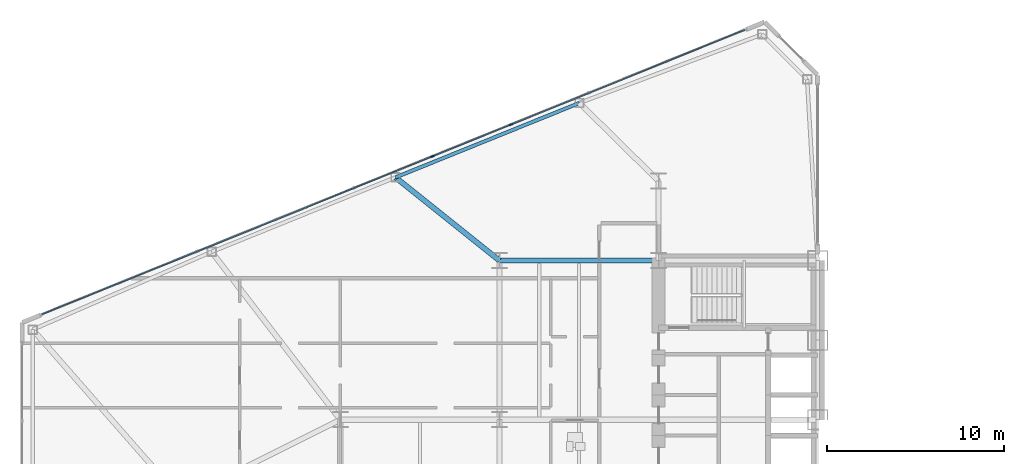
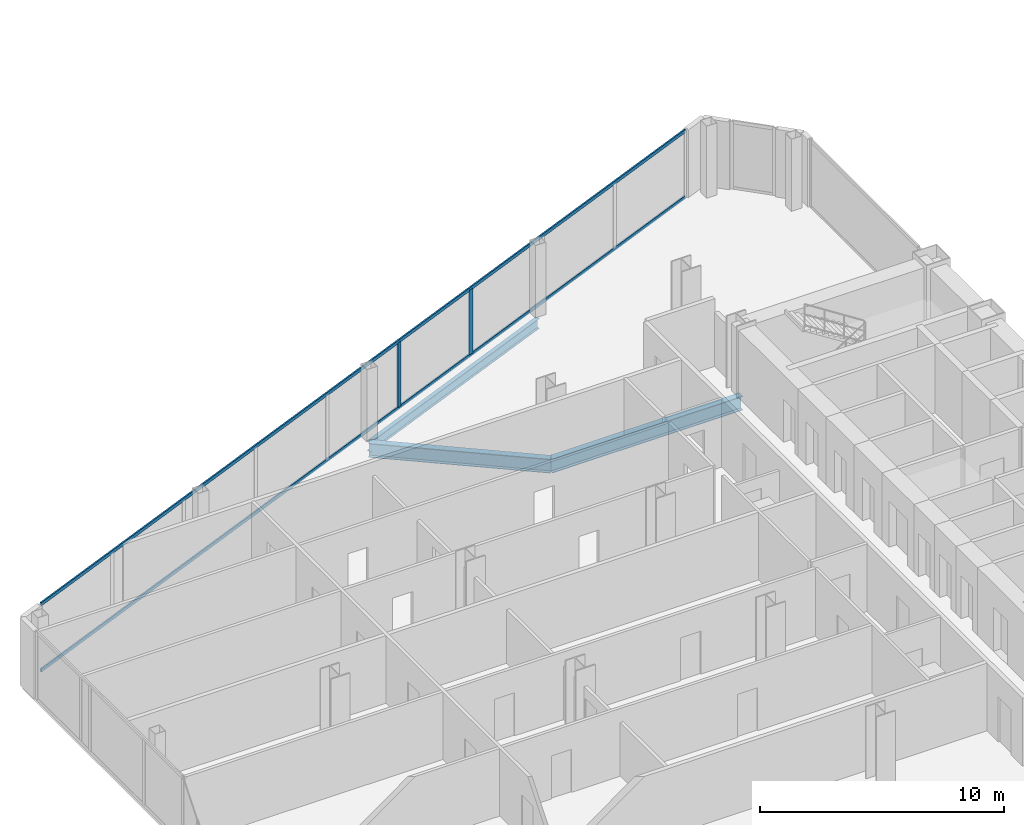
# One storey, part 7 of 25: 4 members, 3 beams, 1 element without a shape of its own.
"""IFC4 building model written with IfcOpenShell, lengths in metres."""

from ifc_helpers import new_model, si_unit, direction, frame, origin, origin_2d, place, context, subcontext, project, spatial, rectangle, i_section, extrude, source, transform, mapped, material, layer, layer_set, material_profile, profile_set, type_object, type_shapes, element, aggregate, save


model = new_model("IFC4")

# Units and contexts
model_context = context("Model", 3, precision=1e-05, world=origin(), true_north=direction((0.0, 1.0)))
body_context = subcontext(model_context, "Body", "Model", "MODEL_VIEW")
ifc_project = project(units=[si_unit("LENGTHUNIT", "METRE"), si_unit("AREAUNIT", "SQUARE_METRE"), si_unit("VOLUMEUNIT", "CUBIC_METRE"), si_unit("PLANEANGLEUNIT", "RADIAN"), si_unit("MASSUNIT", "GRAM", prefix="KILO")], contexts=[model_context])

# Site, building, storey
site_placement = place(None, origin())
site = spatial("IfcSite", under=ifc_project, at=site_placement, CompositionType="ELEMENT")
building_placement = place(site_placement, origin())
building = spatial("IfcBuilding", under=site, at=building_placement, Name="Seokmaru Belvedere", CompositionType="ELEMENT")
storey_placement = place(building_placement, frame((0.0, 0.0, 54.89990234375)))
storey = spatial("IfcBuildingStorey", under=building, at=storey_placement, Name="L14", CompositionType="ELEMENT", Elevation=54.89990234375)

# Beams
ifc_material_1 = material(Name="Steel SM355 (355 MPa)", Category="steel")
ifc_material_profile_1 = material_profile(ifc_material_1, i_section(OverallWidth=0.300048828125, OverallDepth=0.699951171875, WebThickness=0.012939453125, FlangeThickness=0.02392578125, at=origin_2d()), Name="H-700x300x13x24")
ifc_profile_set_1 = profile_set([ifc_material_profile_1], Name="Steel SM355 (355 MPa)")
beam_type_1 = type_object("IfcBeamType", Name="Primary Floor Girder H-700", PredefinedType="BEAM", material=ifc_profile_set_1)
shared_shape_1 = source(origin(), body_context, "Body", "SweptSolid", [
    extrude(i_section(OverallWidth=0.300048828125, OverallDepth=0.699951171875, WebThickness=0.012939453125, FlangeThickness=0.02392578125, at=origin_2d()), origin(), (0.0, 0.0, 1.0), 9.0),
])
beam_1_placement = place(storey_placement, frame((-45.5, 13.5, -0.56982421875), z_axis=(1.0, 0.0, 0.0), x_axis=(0.0, 1.0, 0.0)))
element("IfcBeam", 1, at=beam_1_placement, inside=storey, type_object=beam_type_1, Name="L14 W Wing Primary Girder 4", PredefinedType="BEAM", context=body_context, shape_type="MappedRepresentation", body=[
    mapped(shared_shape_1, transform((0.0, 0.0, 0.0), scale=1.0)),
])
ifc_material_profile_2 = material_profile(ifc_material_1, i_section(OverallWidth=0.199951171875, OverallDepth=0.5, WebThickness=0.010009765625, FlangeThickness=0.01611328125, at=origin_2d()), Name="H-500x200x10x16")
ifc_profile_set_2 = profile_set([ifc_material_profile_2], Name="Steel SM355 (355 MPa)")
beam_type_2 = type_object("IfcBeamType", Name="Perimeter Spandrel Beam H-500", PredefinedType="SPANDREL", material=ifc_profile_set_2)
shared_shape_2 = source(origin(), body_context, "Body", "SweptSolid", [
    extrude(i_section(OverallWidth=0.199951171875, OverallDepth=0.5, WebThickness=0.010009765625, FlangeThickness=0.01611328125, at=origin_2d()), origin(), (0.0, 0.0, 1.0), 11.220703125),
])
type_shapes(beam_type_2, [shared_shape_2])
beam_2_placement = place(storey_placement, frame((-40.977294921875, 22.4140625, -0.469970703125), z_axis=(-0.926944290816, -0.375198989503, 0.0), x_axis=(0.375198989503, -0.926944290816, 0.0)))
element("IfcBeam", 2, at=beam_2_placement, inside=storey, type_object=beam_type_2, Name="L14 W Faceted Flank Spandrel N-2", PredefinedType="SPANDREL", context=body_context, shape_type="MappedRepresentation", body=[
    mapped(shared_shape_2, transform((0.0, 0.0, 0.0), scale=1.0)),
])
shared_shape_3 = source(origin(), body_context, "Body", "SweptSolid", [
    extrude(i_section(OverallWidth=0.300048828125, OverallDepth=0.699951171875, WebThickness=0.012939453125, FlangeThickness=0.02392578125, at=origin_2d()), origin(), (0.0, 0.0, 1.0), 7.52880859375),
])
type_shapes(beam_type_1, [shared_shape_1, shared_shape_3])
beam_3_placement = place(storey_placement, frame((-51.378173828125, 18.2041015625, -0.56982421875), z_axis=(0.780767560736, -0.624821587418, 0.0), x_axis=(0.624821587418, 0.780767560736, 0.0)))
element("IfcBeam", 3, at=beam_3_placement, inside=storey, type_object=beam_type_1, Name="L14 W Flank Radial Floor Girder N-2", PredefinedType="BEAM", context=body_context, shape_type="MappedRepresentation", body=[
    mapped(shared_shape_3, transform((0.0, 0.0, 0.0), scale=1.0)),
])

# Curtain wall, members
ifc_material_2 = material(Name="Bronze Triple Insulating Glass", Category="glass")
ifc_layer = layer(ifc_material_2, 0.2099609375)
ifc_layer_set = layer_set([ifc_layer], Name="Bronze Triple Insulating Glass")
curtain_wall_type = type_object("IfcCurtainWallType", Name="Low-Rise Faceted Crystal Curtain Wall System CW-2", PredefinedType="NOTDEFINED", material=ifc_layer_set)
curtain_wall_placement = place(storey_placement, origin())
curtain_wall = element("IfcCurtainWall", 4, at=curtain_wall_placement, inside=storey, type_object=curtain_wall_type, Name="L14 Curtain Wall WF3", PredefinedType="NOTDEFINED")
ifc_material_3 = material(Name="Anodised Bronze Aluminium", Category="aluminium")
ifc_material_profile_3 = material_profile(ifc_material_3, rectangle(XDim=0.074951171875, YDim=0.2099609375, at=origin_2d()), Name="CW-M-75x210")
ifc_profile_set_3 = profile_set([ifc_material_profile_3], Name="Anodised Bronze Aluminium")
member_type_1 = type_object("IfcMemberType", Name="Bronze Unitised Mullion 75x210", PredefinedType="MULLION", material=ifc_profile_set_3)
shared_shape_4 = source(origin(), body_context, "Body", "SweptSolid", [
    extrude(rectangle(XDim=0.074951171875, YDim=0.2099609375, at=origin_2d()), origin(), (0.0, 0.0, 1.0), 3.239990234375),
])
type_shapes(member_type_1, [shared_shape_4])
member_1_placement = place(storey_placement, frame((-44.855224609375, 21.189453125, 0.070068359375), z_axis=(0.0, 0.0, 1.0), x_axis=(0.375192321888, -0.926946989637, 0.0)))
member_1 = element("IfcMember", 5, at=member_1_placement, type_object=member_type_1, Name="CW:L14:WF3 Mullion 4", PredefinedType="MULLION", context=body_context, shape_type="MappedRepresentation", body=[
    mapped(shared_shape_4, transform((0.0, 0.0, 0.0), scale=1.0)),
])
member_2_placement = place(storey_placement, frame((-49.28515625, 19.396484375, 0.070068359375), z_axis=(0.0, 0.0, 1.0), x_axis=(0.375192321888, -0.926946989637, 0.0)))
member_2 = element("IfcMember", 6, at=member_2_placement, type_object=member_type_1, Name="CW:L14:WF3 Mullion 5", PredefinedType="MULLION", context=body_context, shape_type="MappedRepresentation", body=[
    mapped(shared_shape_4, transform((0.0, 0.0, 0.0), scale=1.0)),
])
ifc_material_profile_4 = material_profile(ifc_material_3, rectangle(XDim=0.070068359375, YDim=0.1650390625, at=origin_2d()), Name="CW-T-70x165")
ifc_profile_set_4 = profile_set([ifc_material_profile_4], Name="Anodised Bronze Aluminium")
member_type_2 = type_object("IfcMemberType", Name="Bronze Unitised Transom 70x165", PredefinedType="USERDEFINED", material=ifc_profile_set_4)
shared_shape_5 = source(origin(), body_context, "Body", "SweptSolid", [
    extrude(rectangle(XDim=0.070068359375, YDim=0.1650390625, at=origin_2d()), origin(), (0.0, 0.0, 1.0), 42.860107421875),
])
type_shapes(member_type_2, [shared_shape_5])
member_3_placement = place(storey_placement, frame((-31.635498046875, 26.540283203125, 0.03515625), z_axis=(-0.926948605599, -0.375188329481, 0.0), x_axis=(0.375188329481, -0.926948605599, 0.0)))
member_3 = element("IfcMember", 7, at=member_3_placement, type_object=member_type_2, Name="CW:L14:WF3 Continuous Transom 1", ObjectType="TRANSOM", PredefinedType="USERDEFINED", context=body_context, shape_type="MappedRepresentation", body=[
    mapped(shared_shape_5, transform((0.0, 0.0, 0.0), scale=1.0)),
])
member_4_placement = place(storey_placement, frame((-31.635498046875, 26.540283203125, 3.34521484375), z_axis=(-0.926948605599, -0.375188329481, 0.0), x_axis=(0.375188329481, -0.926948605599, 0.0)))
member_4 = element("IfcMember", 8, at=member_4_placement, type_object=member_type_2, Name="CW:L14:WF3 Continuous Transom 2", ObjectType="TRANSOM", PredefinedType="USERDEFINED", context=body_context, shape_type="MappedRepresentation", body=[
    mapped(shared_shape_5, transform((0.0, 0.0, 0.0), scale=1.0)),
])
aggregate(curtain_wall, [member_1, member_2, member_3, member_4])

save(model, "model.ifc")
